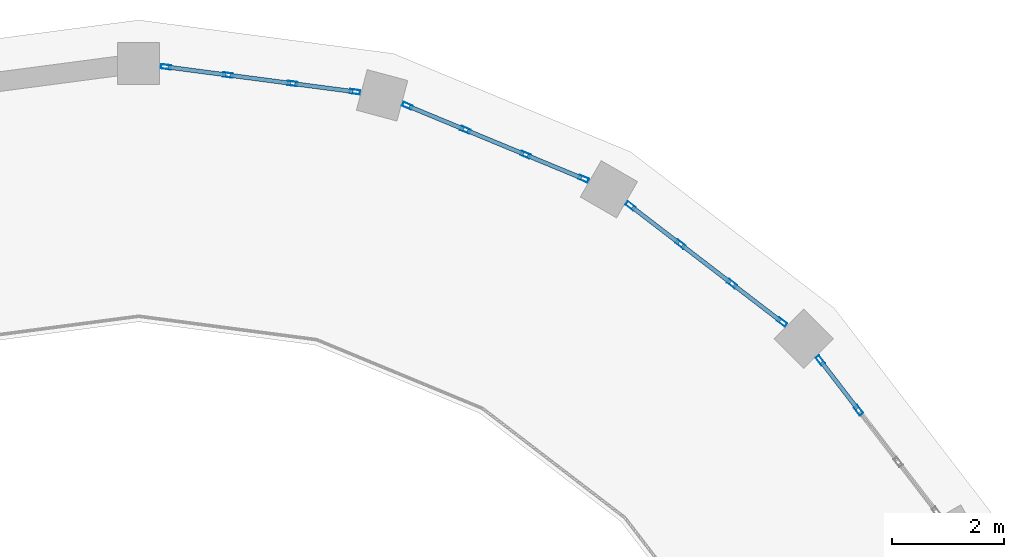
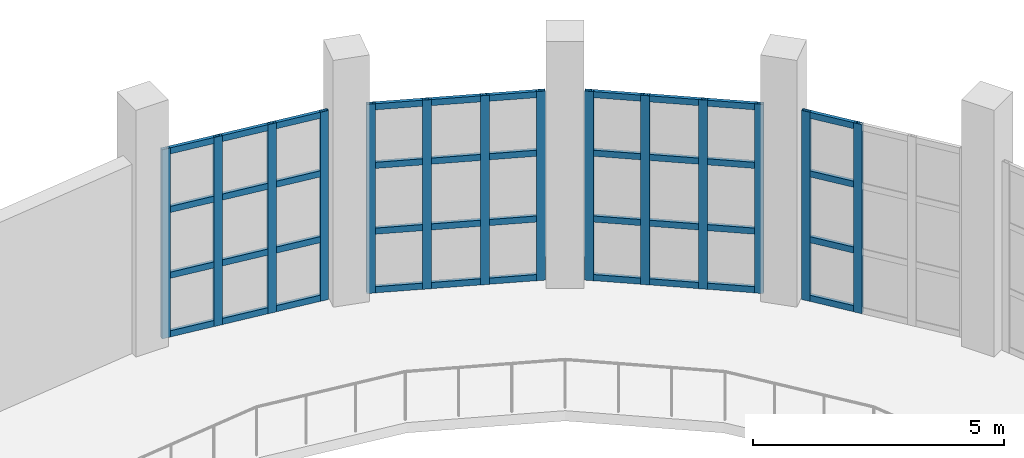
# One storey, part 31 of 59: 54 members, 4 elements without a shape of their own.
"""IFC4 building model written with IfcOpenShell, lengths in metres."""

from ifc_helpers import new_model, si_unit, direction, frame, origin, origin_2d, place, context, subcontext, project, spatial, hollow_rectangle, extrude, material, layer, layer_set, material_profile, profile_set, type_object, element, aggregate, save


model = new_model("IFC4")

# Units and contexts
model_context = context("Model", 3, precision=1e-05, world=origin(), true_north=direction((0.0, 1.0)))
body_context = subcontext(model_context, "Body", "Model", "MODEL_VIEW")
ifc_project = project(units=[si_unit("LENGTHUNIT", "METRE"), si_unit("AREAUNIT", "SQUARE_METRE"), si_unit("VOLUMEUNIT", "CUBIC_METRE"), si_unit("PLANEANGLEUNIT", "RADIAN"), si_unit("MASSUNIT", "GRAM", prefix="KILO")], contexts=[model_context])

# Site, building, storey
site_placement = place(None, origin())
site = spatial("IfcSite", under=ifc_project, at=site_placement, CompositionType="ELEMENT")
building_placement = place(site_placement, origin())
building = spatial("IfcBuilding", under=site, at=building_placement, Name="Kandorven Conservatory and Botanical Research Centre", CompositionType="ELEMENT")
storey_placement = place(building_placement, frame((0.0, 0.0, 4.800048828125)))
storey = spatial("IfcBuildingStorey", under=building, at=storey_placement, Name="L01", CompositionType="ELEMENT", Elevation=4.800048828125)

# Curtain wall, members
ifc_material_1 = material(Name="Bronze anodised thermally broken aluminium", Category="aluminium")
ifc_layer = layer(ifc_material_1, 0.179931640625)
ifc_layer_set = layer_set([ifc_layer], Name="Bronze anodised thermally broken aluminium")
curtain_wall_type = type_object("IfcCurtainWallType", Name="CW_Clerestory", PredefinedType="USERDEFINED", material=ifc_layer_set)
curtain_wall_1_placement = place(storey_placement, origin())
curtain_wall_1 = element("IfcCurtainWall", 1, at=curtain_wall_1_placement, inside=storey, type_object=curtain_wall_type, Name="Conservatory drum clerestory glazing CW-DRUM-L01-03", ObjectType="CLERESTORY GLAZING", PredefinedType="USERDEFINED")
ifc_material_2 = material(Name="Bronze anodised thermally broken aluminium", Category="aluminium")
ifc_material_profile_1 = material_profile(ifc_material_2, hollow_rectangle(XDim=0.080078125, YDim=0.179931640625, WallThickness=0.006103515625, at=origin_2d()))
ifc_profile_set_1 = profile_set([ifc_material_profile_1], Name="Bronze anodised thermally broken aluminium")
member_type_1 = type_object("IfcMemberType", Name="CW_Mullion", PredefinedType="MULLION", material=ifc_profile_set_1)
member_1_placement = place(storey_placement, frame((100.479736328125, 58.41650390625, 0.0), z_axis=(0.0, 0.0, 1.0), x_axis=(-0.793347276456, -0.608769331471, 0.0)))
member_1 = element("IfcMember", 2, at=member_1_placement, type_object=member_type_1, Name="CW-02 mullion 3", PredefinedType="MULLION", context=body_context, shape_type="SweptSolid", body=[
    extrude(hollow_rectangle(XDim=0.080078125, YDim=0.179931640625, WallThickness=0.006103515625, at=origin_2d()), origin(), (0.0, 0.0, 1.0), 4.599853515625),
])
member_2_placement = place(storey_placement, frame((99.79541015625, 59.308349609375, 0.0), z_axis=(0.0, 0.0, 1.0), x_axis=(-0.793347276456, -0.608769331471, 0.0)))
member_2 = element("IfcMember", 3, at=member_2_placement, type_object=member_type_1, Name="CW-02 mullion 4", PredefinedType="MULLION", context=body_context, shape_type="SweptSolid", body=[
    extrude(hollow_rectangle(XDim=0.080078125, YDim=0.179931640625, WallThickness=0.006103515625, at=origin_2d()), origin(), (0.0, 0.0, 1.0), 4.599853515625),
])

curtain_wall_2_placement = place(storey_placement, origin())
curtain_wall_2 = element("IfcCurtainWall", 4, at=curtain_wall_2_placement, inside=storey, type_object=curtain_wall_type, Name="Conservatory drum clerestory glazing CW-DRUM-L01-04", ObjectType="CLERESTORY GLAZING", PredefinedType="USERDEFINED")
member_3_placement = place(storey_placement, frame((99.1083984375, 59.995361328125, 0.0), z_axis=(0.0, 0.0, 1.0), x_axis=(-0.608769331471, -0.793347276456, 0.0)))
member_3 = element("IfcMember", 5, at=member_3_placement, type_object=member_type_1, Name="CW-02 mullion 1", PredefinedType="MULLION", context=body_context, shape_type="SweptSolid", body=[
    extrude(hollow_rectangle(XDim=0.080078125, YDim=0.179931640625, WallThickness=0.006103515625, at=origin_2d()), origin(), (0.0, 0.0, 1.0), 4.599853515625),
])
member_4_placement = place(storey_placement, frame((98.216552734375, 60.6796875, 0.0), z_axis=(0.0, 0.0, 1.0), x_axis=(-0.608769331471, -0.793347276456, 0.0)))
member_4 = element("IfcMember", 6, at=member_4_placement, type_object=member_type_1, Name="CW-02 mullion 2", PredefinedType="MULLION", context=body_context, shape_type="SweptSolid", body=[
    extrude(hollow_rectangle(XDim=0.080078125, YDim=0.179931640625, WallThickness=0.006103515625, at=origin_2d()), origin(), (0.0, 0.0, 1.0), 4.599853515625),
])
member_5_placement = place(storey_placement, frame((97.29296875, 61.388427734375, 0.0), z_axis=(0.0, 0.0, 1.0), x_axis=(-0.608769331471, -0.793347276456, 0.0)))
member_5 = element("IfcMember", 7, at=member_5_placement, type_object=member_type_1, Name="CW-02 mullion 3", PredefinedType="MULLION", context=body_context, shape_type="SweptSolid", body=[
    extrude(hollow_rectangle(XDim=0.080078125, YDim=0.179931640625, WallThickness=0.006103515625, at=origin_2d()), origin(), (0.0, 0.0, 1.0), 4.599853515625),
])
member_6_placement = place(storey_placement, frame((96.401123046875, 62.07275390625, 0.0), z_axis=(0.0, 0.0, 1.0), x_axis=(-0.608769331471, -0.793347276456, 0.0)))
member_6 = element("IfcMember", 8, at=member_6_placement, type_object=member_type_1, Name="CW-02 mullion 4", PredefinedType="MULLION", context=body_context, shape_type="SweptSolid", body=[
    extrude(hollow_rectangle(XDim=0.080078125, YDim=0.179931640625, WallThickness=0.006103515625, at=origin_2d()), origin(), (0.0, 0.0, 1.0), 4.599853515625),
])

curtain_wall_3_placement = place(storey_placement, origin())
curtain_wall_3 = element("IfcCurtainWall", 9, at=curtain_wall_3_placement, inside=storey, type_object=curtain_wall_type, Name="Conservatory drum clerestory glazing CW-DRUM-L01-05", ObjectType="CLERESTORY GLAZING", PredefinedType="USERDEFINED")
member_7_placement = place(storey_placement, frame((95.559814453125, 62.558349609375, 0.0), z_axis=(0.0, 0.0, 1.0), x_axis=(-0.382668753353, -0.92388561262, 0.0)))
member_7 = element("IfcMember", 10, at=member_7_placement, type_object=member_type_1, Name="CW-02 mullion 1", PredefinedType="MULLION", context=body_context, shape_type="SweptSolid", body=[
    extrude(hollow_rectangle(XDim=0.080078125, YDim=0.179931640625, WallThickness=0.006103515625, at=origin_2d()), origin(), (0.0, 0.0, 1.0), 4.599853515625),
])
member_8_placement = place(storey_placement, frame((94.521240234375, 62.988525390625, 0.0), z_axis=(0.0, 0.0, 1.0), x_axis=(-0.382668753353, -0.92388561262, 0.0)))
member_8 = element("IfcMember", 11, at=member_8_placement, type_object=member_type_1, Name="CW-02 mullion 2", PredefinedType="MULLION", context=body_context, shape_type="SweptSolid", body=[
    extrude(hollow_rectangle(XDim=0.080078125, YDim=0.179931640625, WallThickness=0.006103515625, at=origin_2d()), origin(), (0.0, 0.0, 1.0), 4.599853515625),
])
member_9_placement = place(storey_placement, frame((93.44580078125, 63.43408203125, 0.0), z_axis=(0.0, 0.0, 1.0), x_axis=(-0.382668753353, -0.92388561262, 0.0)))
member_9 = element("IfcMember", 12, at=member_9_placement, type_object=member_type_1, Name="CW-02 mullion 3", PredefinedType="MULLION", context=body_context, shape_type="SweptSolid", body=[
    extrude(hollow_rectangle(XDim=0.080078125, YDim=0.179931640625, WallThickness=0.006103515625, at=origin_2d()), origin(), (0.0, 0.0, 1.0), 4.599853515625),
])
member_10_placement = place(storey_placement, frame((92.4072265625, 63.8642578125, 0.0), z_axis=(0.0, 0.0, 1.0), x_axis=(-0.382668753353, -0.92388561262, 0.0)))
member_10 = element("IfcMember", 13, at=member_10_placement, type_object=member_type_1, Name="CW-02 mullion 4", PredefinedType="MULLION", context=body_context, shape_type="SweptSolid", body=[
    extrude(hollow_rectangle(XDim=0.080078125, YDim=0.179931640625, WallThickness=0.006103515625, at=origin_2d()), origin(), (0.0, 0.0, 1.0), 4.599853515625),
])

curtain_wall_4_placement = place(storey_placement, origin())
curtain_wall_4 = element("IfcCurtainWall", 14, at=curtain_wall_4_placement, inside=storey, type_object=curtain_wall_type, Name="Conservatory drum clerestory glazing CW-DRUM-L01-06", ObjectType="CLERESTORY GLAZING", PredefinedType="USERDEFINED")
member_11_placement = place(storey_placement, frame((91.46875, 64.11572265625, 0.0), z_axis=(0.0, 0.0, 1.0), x_axis=(-0.130552292075, -0.991441424913, 0.0)))
member_11 = element("IfcMember", 15, at=member_11_placement, type_object=member_type_1, Name="CW-02 mullion 1", PredefinedType="MULLION", context=body_context, shape_type="SweptSolid", body=[
    extrude(hollow_rectangle(XDim=0.080078125, YDim=0.179931640625, WallThickness=0.006103515625, at=origin_2d()), origin(), (0.0, 0.0, 1.0), 4.599853515625),
])
member_12_placement = place(storey_placement, frame((90.354248046875, 64.262451171875, 0.0), z_axis=(0.0, 0.0, 1.0), x_axis=(-0.130552292075, -0.991441424913, 0.0)))
member_12 = element("IfcMember", 16, at=member_12_placement, type_object=member_type_1, Name="CW-02 mullion 2", PredefinedType="MULLION", context=body_context, shape_type="SweptSolid", body=[
    extrude(hollow_rectangle(XDim=0.080078125, YDim=0.179931640625, WallThickness=0.006103515625, at=origin_2d()), origin(), (0.0, 0.0, 1.0), 4.599853515625),
])
member_13_placement = place(storey_placement, frame((89.2001953125, 64.414306640625, 0.0), z_axis=(0.0, 0.0, 1.0), x_axis=(-0.130552292075, -0.991441424913, 0.0)))
member_13 = element("IfcMember", 17, at=member_13_placement, type_object=member_type_1, Name="CW-02 mullion 3", PredefinedType="MULLION", context=body_context, shape_type="SweptSolid", body=[
    extrude(hollow_rectangle(XDim=0.080078125, YDim=0.179931640625, WallThickness=0.006103515625, at=origin_2d()), origin(), (0.0, 0.0, 1.0), 4.599853515625),
])
member_14_placement = place(storey_placement, frame((88.0859375, 64.56103515625, 0.0), z_axis=(0.0, 0.0, 1.0), x_axis=(-0.130552292075, -0.991441424913, 0.0)))
member_14 = element("IfcMember", 18, at=member_14_placement, type_object=member_type_1, Name="CW-02 mullion 4", PredefinedType="MULLION", context=body_context, shape_type="SweptSolid", body=[
    extrude(hollow_rectangle(XDim=0.080078125, YDim=0.179931640625, WallThickness=0.006103515625, at=origin_2d()), origin(), (0.0, 0.0, 1.0), 4.599853515625),
])

# Member
ifc_material_3 = material(Name="Bronze anodised thermally broken aluminium", Category="aluminium")
ifc_material_profile_2 = material_profile(ifc_material_3, hollow_rectangle(XDim=0.074951171875, YDim=0.14990234375, WallThickness=0.006103515625, at=origin_2d()))
ifc_profile_set_2 = profile_set([ifc_material_profile_2], Name="Bronze anodised thermally broken aluminium")
member_type_2 = type_object("IfcMemberType", Name="CW_Transom", PredefinedType="USERDEFINED", material=ifc_profile_set_2)
member_15_placement = place(storey_placement, frame((100.455322265625, 58.4482421875, 0.074951171875), z_axis=(-0.608829050876, 0.793301447628, 0.0), x_axis=(-0.793301447628, -0.608829050876, 0.0)))
member_15 = element("IfcMember", 19, at=member_15_placement, type_object=member_type_2, Name="CW-02 transom 3.1", ObjectType="TRANSOM", PredefinedType="USERDEFINED", context=body_context, shape_type="SweptSolid", body=[
    extrude(hollow_rectangle(XDim=0.074951171875, YDim=0.14990234375, WallThickness=0.006103515625, at=origin_2d()), origin(), (0.0, 0.0, 1.0), 1.044189453125),
])

member_16_placement = place(storey_placement, frame((100.455322265625, 58.4482421875, 1.5), z_axis=(-0.608829050876, 0.793301447628, 0.0), x_axis=(-0.793301447628, -0.608829050876, 0.0)))
member_16 = element("IfcMember", 20, at=member_16_placement, type_object=member_type_2, Name="CW-02 transom 3.2", ObjectType="TRANSOM", PredefinedType="USERDEFINED", context=body_context, shape_type="SweptSolid", body=[
    extrude(hollow_rectangle(XDim=0.074951171875, YDim=0.14990234375, WallThickness=0.006103515625, at=origin_2d()), origin(), (0.0, 0.0, 1.0), 1.044189453125),
])

member_17_placement = place(storey_placement, frame((100.455322265625, 58.4482421875, 3.099853515625), z_axis=(-0.608829050876, 0.793301447628, 0.0), x_axis=(-0.793301447628, -0.608829050876, 0.0)))
member_17 = element("IfcMember", 21, at=member_17_placement, type_object=member_type_2, Name="CW-02 transom 3.3", ObjectType="TRANSOM", PredefinedType="USERDEFINED", context=body_context, shape_type="SweptSolid", body=[
    extrude(hollow_rectangle(XDim=0.074951171875, YDim=0.14990234375, WallThickness=0.006103515625, at=origin_2d()), origin(), (0.0, 0.0, 1.0), 1.044189453125),
])

member_18_placement = place(storey_placement, frame((100.455322265625, 58.4482421875, 4.52490234375), z_axis=(-0.608829050876, 0.793301447628, 0.0), x_axis=(-0.793301447628, -0.608829050876, 0.0)))
member_18 = element("IfcMember", 22, at=member_18_placement, type_object=member_type_2, Name="CW-02 transom 3.4", ObjectType="TRANSOM", PredefinedType="USERDEFINED", context=body_context, shape_type="SweptSolid", body=[
    extrude(hollow_rectangle(XDim=0.074951171875, YDim=0.14990234375, WallThickness=0.006103515625, at=origin_2d()), origin(), (0.0, 0.0, 1.0), 1.044189453125),
])

aggregate(curtain_wall_1, [member_1, member_2, member_15, member_16, member_17, member_18])

member_19_placement = place(storey_placement, frame((99.07666015625, 60.019775390625, 0.074951171875), z_axis=(-0.793414374508, 0.608681879412, 0.0), x_axis=(-0.608681879412, -0.793414374508, 0.0)))
member_19 = element("IfcMember", 23, at=member_19_placement, type_object=member_type_2, Name="CW-02 transom 1.1", ObjectType="TRANSOM", PredefinedType="USERDEFINED", context=body_context, shape_type="SweptSolid", body=[
    extrude(hollow_rectangle(XDim=0.074951171875, YDim=0.14990234375, WallThickness=0.006103515625, at=origin_2d()), origin(), (0.0, 0.0, 1.0), 1.0439453125),
])

member_20_placement = place(storey_placement, frame((99.07666015625, 60.019775390625, 1.5), z_axis=(-0.793414374508, 0.608681879412, 0.0), x_axis=(-0.608681879412, -0.793414374508, 0.0)))
member_20 = element("IfcMember", 24, at=member_20_placement, type_object=member_type_2, Name="CW-02 transom 1.2", ObjectType="TRANSOM", PredefinedType="USERDEFINED", context=body_context, shape_type="SweptSolid", body=[
    extrude(hollow_rectangle(XDim=0.074951171875, YDim=0.14990234375, WallThickness=0.006103515625, at=origin_2d()), origin(), (0.0, 0.0, 1.0), 1.0439453125),
])

member_21_placement = place(storey_placement, frame((99.07666015625, 60.019775390625, 3.099853515625), z_axis=(-0.793414374508, 0.608681879412, 0.0), x_axis=(-0.608681879412, -0.793414374508, 0.0)))
member_21 = element("IfcMember", 25, at=member_21_placement, type_object=member_type_2, Name="CW-02 transom 1.3", ObjectType="TRANSOM", PredefinedType="USERDEFINED", context=body_context, shape_type="SweptSolid", body=[
    extrude(hollow_rectangle(XDim=0.074951171875, YDim=0.14990234375, WallThickness=0.006103515625, at=origin_2d()), origin(), (0.0, 0.0, 1.0), 1.0439453125),
])

member_22_placement = place(storey_placement, frame((99.07666015625, 60.019775390625, 4.52490234375), z_axis=(-0.793414374508, 0.608681879412, 0.0), x_axis=(-0.608681879412, -0.793414374508, 0.0)))
member_22 = element("IfcMember", 26, at=member_22_placement, type_object=member_type_2, Name="CW-02 transom 1.4", ObjectType="TRANSOM", PredefinedType="USERDEFINED", context=body_context, shape_type="SweptSolid", body=[
    extrude(hollow_rectangle(XDim=0.074951171875, YDim=0.14990234375, WallThickness=0.006103515625, at=origin_2d()), origin(), (0.0, 0.0, 1.0), 1.0439453125),
])

member_23_placement = place(storey_placement, frame((98.184814453125, 60.7041015625, 0.074951171875), z_axis=(-0.793385204739, 0.608719900201, 0.0), x_axis=(-0.608719900201, -0.793385204739, 0.0)))
member_23 = element("IfcMember", 27, at=member_23_placement, type_object=member_type_2, Name="CW-02 transom 2.1", ObjectType="TRANSOM", PredefinedType="USERDEFINED", context=body_context, shape_type="SweptSolid", body=[
    extrude(hollow_rectangle(XDim=0.074951171875, YDim=0.14990234375, WallThickness=0.006103515625, at=origin_2d()), origin(), (0.0, 0.0, 1.0), 1.083984375),
])

member_24_placement = place(storey_placement, frame((98.184814453125, 60.7041015625, 1.5), z_axis=(-0.793385204739, 0.608719900201, 0.0), x_axis=(-0.608719900201, -0.793385204739, 0.0)))
member_24 = element("IfcMember", 28, at=member_24_placement, type_object=member_type_2, Name="CW-02 transom 2.2", ObjectType="TRANSOM", PredefinedType="USERDEFINED", context=body_context, shape_type="SweptSolid", body=[
    extrude(hollow_rectangle(XDim=0.074951171875, YDim=0.14990234375, WallThickness=0.006103515625, at=origin_2d()), origin(), (0.0, 0.0, 1.0), 1.083984375),
])

member_25_placement = place(storey_placement, frame((98.184814453125, 60.7041015625, 3.099853515625), z_axis=(-0.793385204739, 0.608719900201, 0.0), x_axis=(-0.608719900201, -0.793385204739, 0.0)))
member_25 = element("IfcMember", 29, at=member_25_placement, type_object=member_type_2, Name="CW-02 transom 2.3", ObjectType="TRANSOM", PredefinedType="USERDEFINED", context=body_context, shape_type="SweptSolid", body=[
    extrude(hollow_rectangle(XDim=0.074951171875, YDim=0.14990234375, WallThickness=0.006103515625, at=origin_2d()), origin(), (0.0, 0.0, 1.0), 1.083984375),
])

member_26_placement = place(storey_placement, frame((98.184814453125, 60.7041015625, 4.52490234375), z_axis=(-0.793385204739, 0.608719900201, 0.0), x_axis=(-0.608719900201, -0.793385204739, 0.0)))
member_26 = element("IfcMember", 30, at=member_26_placement, type_object=member_type_2, Name="CW-02 transom 2.4", ObjectType="TRANSOM", PredefinedType="USERDEFINED", context=body_context, shape_type="SweptSolid", body=[
    extrude(hollow_rectangle(XDim=0.074951171875, YDim=0.14990234375, WallThickness=0.006103515625, at=origin_2d()), origin(), (0.0, 0.0, 1.0), 1.083984375),
])

member_27_placement = place(storey_placement, frame((97.26123046875, 61.41259765625, 0.074951171875), z_axis=(-0.793301447628, 0.608829050876, 0.0), x_axis=(-0.608829050876, -0.793301447628, 0.0)))
member_27 = element("IfcMember", 31, at=member_27_placement, type_object=member_type_2, Name="CW-02 transom 3.1", ObjectType="TRANSOM", PredefinedType="USERDEFINED", context=body_context, shape_type="SweptSolid", body=[
    extrude(hollow_rectangle(XDim=0.074951171875, YDim=0.14990234375, WallThickness=0.006103515625, at=origin_2d()), origin(), (0.0, 0.0, 1.0), 1.044189453125),
])

member_28_placement = place(storey_placement, frame((97.26123046875, 61.41259765625, 1.5), z_axis=(-0.793301447628, 0.608829050876, 0.0), x_axis=(-0.608829050876, -0.793301447628, 0.0)))
member_28 = element("IfcMember", 32, at=member_28_placement, type_object=member_type_2, Name="CW-02 transom 3.2", ObjectType="TRANSOM", PredefinedType="USERDEFINED", context=body_context, shape_type="SweptSolid", body=[
    extrude(hollow_rectangle(XDim=0.074951171875, YDim=0.14990234375, WallThickness=0.006103515625, at=origin_2d()), origin(), (0.0, 0.0, 1.0), 1.044189453125),
])

member_29_placement = place(storey_placement, frame((97.26123046875, 61.41259765625, 3.099853515625), z_axis=(-0.793301447628, 0.608829050876, 0.0), x_axis=(-0.608829050876, -0.793301447628, 0.0)))
member_29 = element("IfcMember", 33, at=member_29_placement, type_object=member_type_2, Name="CW-02 transom 3.3", ObjectType="TRANSOM", PredefinedType="USERDEFINED", context=body_context, shape_type="SweptSolid", body=[
    extrude(hollow_rectangle(XDim=0.074951171875, YDim=0.14990234375, WallThickness=0.006103515625, at=origin_2d()), origin(), (0.0, 0.0, 1.0), 1.044189453125),
])

member_30_placement = place(storey_placement, frame((97.26123046875, 61.41259765625, 4.52490234375), z_axis=(-0.793301447628, 0.608829050876, 0.0), x_axis=(-0.608829050876, -0.793301447628, 0.0)))
member_30 = element("IfcMember", 34, at=member_30_placement, type_object=member_type_2, Name="CW-02 transom 3.4", ObjectType="TRANSOM", PredefinedType="USERDEFINED", context=body_context, shape_type="SweptSolid", body=[
    extrude(hollow_rectangle(XDim=0.074951171875, YDim=0.14990234375, WallThickness=0.006103515625, at=origin_2d()), origin(), (0.0, 0.0, 1.0), 1.044189453125),
])

aggregate(curtain_wall_2, [member_3, member_4, member_5, member_6, member_19, member_20, member_21, member_22, member_23, member_24, member_25, member_26, member_27, member_28, member_29, member_30])

member_31_placement = place(storey_placement, frame((95.52294921875, 62.57373046875, 0.074951171875), z_axis=(-0.923925641819, 0.382572095676, 0.0), x_axis=(-0.382572095676, -0.923925641819, 0.0)))
member_31 = element("IfcMember", 35, at=member_31_placement, type_object=member_type_2, Name="CW-02 transom 1.1", ObjectType="TRANSOM", PredefinedType="USERDEFINED", context=body_context, shape_type="SweptSolid", body=[
    extrude(hollow_rectangle(XDim=0.074951171875, YDim=0.14990234375, WallThickness=0.006103515625, at=origin_2d()), origin(), (0.0, 0.0, 1.0), 1.0439453125),
])

member_32_placement = place(storey_placement, frame((95.52294921875, 62.57373046875, 1.5), z_axis=(-0.923925641819, 0.382572095676, 0.0), x_axis=(-0.382572095676, -0.923925641819, 0.0)))
member_32 = element("IfcMember", 36, at=member_32_placement, type_object=member_type_2, Name="CW-02 transom 1.2", ObjectType="TRANSOM", PredefinedType="USERDEFINED", context=body_context, shape_type="SweptSolid", body=[
    extrude(hollow_rectangle(XDim=0.074951171875, YDim=0.14990234375, WallThickness=0.006103515625, at=origin_2d()), origin(), (0.0, 0.0, 1.0), 1.0439453125),
])

member_33_placement = place(storey_placement, frame((95.52294921875, 62.57373046875, 3.099853515625), z_axis=(-0.923925641819, 0.382572095676, 0.0), x_axis=(-0.382572095676, -0.923925641819, 0.0)))
member_33 = element("IfcMember", 37, at=member_33_placement, type_object=member_type_2, Name="CW-02 transom 1.3", ObjectType="TRANSOM", PredefinedType="USERDEFINED", context=body_context, shape_type="SweptSolid", body=[
    extrude(hollow_rectangle(XDim=0.074951171875, YDim=0.14990234375, WallThickness=0.006103515625, at=origin_2d()), origin(), (0.0, 0.0, 1.0), 1.0439453125),
])

member_34_placement = place(storey_placement, frame((95.52294921875, 62.57373046875, 4.52490234375), z_axis=(-0.923925641819, 0.382572095676, 0.0), x_axis=(-0.382572095676, -0.923925641819, 0.0)))
member_34 = element("IfcMember", 38, at=member_34_placement, type_object=member_type_2, Name="CW-02 transom 1.4", ObjectType="TRANSOM", PredefinedType="USERDEFINED", context=body_context, shape_type="SweptSolid", body=[
    extrude(hollow_rectangle(XDim=0.074951171875, YDim=0.14990234375, WallThickness=0.006103515625, at=origin_2d()), origin(), (0.0, 0.0, 1.0), 1.0439453125),
])

member_35_placement = place(storey_placement, frame((94.484375, 63.00390625, 0.074951171875), z_axis=(-0.923920786696, 0.382583820765, 0.0), x_axis=(-0.382583820765, -0.923920786696, 0.0)))
member_35 = element("IfcMember", 39, at=member_35_placement, type_object=member_type_2, Name="CW-02 transom 2.1", ObjectType="TRANSOM", PredefinedType="USERDEFINED", context=body_context, shape_type="SweptSolid", body=[
    extrude(hollow_rectangle(XDim=0.074951171875, YDim=0.14990234375, WallThickness=0.006103515625, at=origin_2d()), origin(), (0.0, 0.0, 1.0), 1.084228515625),
])

member_36_placement = place(storey_placement, frame((94.484375, 63.00390625, 1.5), z_axis=(-0.923920786696, 0.382583820765, 0.0), x_axis=(-0.382583820765, -0.923920786696, 0.0)))
member_36 = element("IfcMember", 40, at=member_36_placement, type_object=member_type_2, Name="CW-02 transom 2.2", ObjectType="TRANSOM", PredefinedType="USERDEFINED", context=body_context, shape_type="SweptSolid", body=[
    extrude(hollow_rectangle(XDim=0.074951171875, YDim=0.14990234375, WallThickness=0.006103515625, at=origin_2d()), origin(), (0.0, 0.0, 1.0), 1.084228515625),
])

member_37_placement = place(storey_placement, frame((94.484375, 63.00390625, 3.099853515625), z_axis=(-0.923920786696, 0.382583820765, 0.0), x_axis=(-0.382583820765, -0.923920786696, 0.0)))
member_37 = element("IfcMember", 41, at=member_37_placement, type_object=member_type_2, Name="CW-02 transom 2.3", ObjectType="TRANSOM", PredefinedType="USERDEFINED", context=body_context, shape_type="SweptSolid", body=[
    extrude(hollow_rectangle(XDim=0.074951171875, YDim=0.14990234375, WallThickness=0.006103515625, at=origin_2d()), origin(), (0.0, 0.0, 1.0), 1.084228515625),
])

member_38_placement = place(storey_placement, frame((94.484375, 63.00390625, 4.52490234375), z_axis=(-0.923920786696, 0.382583820765, 0.0), x_axis=(-0.382583820765, -0.923920786696, 0.0)))
member_38 = element("IfcMember", 42, at=member_38_placement, type_object=member_type_2, Name="CW-02 transom 2.4", ObjectType="TRANSOM", PredefinedType="USERDEFINED", context=body_context, shape_type="SweptSolid", body=[
    extrude(hollow_rectangle(XDim=0.074951171875, YDim=0.14990234375, WallThickness=0.006103515625, at=origin_2d()), origin(), (0.0, 0.0, 1.0), 1.084228515625),
])

member_39_placement = place(storey_placement, frame((93.408935546875, 63.44921875, 0.074951171875), z_axis=(-0.92387721812, 0.382689019753, 0.0), x_axis=(-0.382689019753, -0.92387721812, 0.0)))
member_39 = element("IfcMember", 43, at=member_39_placement, type_object=member_type_2, Name="CW-02 transom 3.1", ObjectType="TRANSOM", PredefinedType="USERDEFINED", context=body_context, shape_type="SweptSolid", body=[
    extrude(hollow_rectangle(XDim=0.074951171875, YDim=0.14990234375, WallThickness=0.006103515625, at=origin_2d()), origin(), (0.0, 0.0, 1.0), 1.04443359375),
])

member_40_placement = place(storey_placement, frame((93.408935546875, 63.44921875, 1.5), z_axis=(-0.92387721812, 0.382689019753, 0.0), x_axis=(-0.382689019753, -0.92387721812, 0.0)))
member_40 = element("IfcMember", 44, at=member_40_placement, type_object=member_type_2, Name="CW-02 transom 3.2", ObjectType="TRANSOM", PredefinedType="USERDEFINED", context=body_context, shape_type="SweptSolid", body=[
    extrude(hollow_rectangle(XDim=0.074951171875, YDim=0.14990234375, WallThickness=0.006103515625, at=origin_2d()), origin(), (0.0, 0.0, 1.0), 1.04443359375),
])

member_41_placement = place(storey_placement, frame((93.408935546875, 63.44921875, 3.099853515625), z_axis=(-0.92387721812, 0.382689019753, 0.0), x_axis=(-0.382689019753, -0.92387721812, 0.0)))
member_41 = element("IfcMember", 45, at=member_41_placement, type_object=member_type_2, Name="CW-02 transom 3.3", ObjectType="TRANSOM", PredefinedType="USERDEFINED", context=body_context, shape_type="SweptSolid", body=[
    extrude(hollow_rectangle(XDim=0.074951171875, YDim=0.14990234375, WallThickness=0.006103515625, at=origin_2d()), origin(), (0.0, 0.0, 1.0), 1.04443359375),
])

member_42_placement = place(storey_placement, frame((93.408935546875, 63.44921875, 4.52490234375), z_axis=(-0.92387721812, 0.382689019753, 0.0), x_axis=(-0.382689019753, -0.92387721812, 0.0)))
member_42 = element("IfcMember", 46, at=member_42_placement, type_object=member_type_2, Name="CW-02 transom 3.4", ObjectType="TRANSOM", PredefinedType="USERDEFINED", context=body_context, shape_type="SweptSolid", body=[
    extrude(hollow_rectangle(XDim=0.074951171875, YDim=0.14990234375, WallThickness=0.006103515625, at=origin_2d()), origin(), (0.0, 0.0, 1.0), 1.04443359375),
])

aggregate(curtain_wall_3, [member_7, member_8, member_9, member_10, member_31, member_32, member_33, member_34, member_35, member_36, member_37, member_38, member_39, member_40, member_41, member_42])

member_43_placement = place(storey_placement, frame((91.42919921875, 64.120849609375, 0.074951171875), z_axis=(-0.991451111683, 0.130478707622, 0.0), x_axis=(-0.130478707622, -0.991451111683, 0.0)))
member_43 = element("IfcMember", 47, at=member_43_placement, type_object=member_type_2, Name="CW-02 transom 1.1", ObjectType="TRANSOM", PredefinedType="USERDEFINED", context=body_context, shape_type="SweptSolid", body=[
    extrude(hollow_rectangle(XDim=0.074951171875, YDim=0.14990234375, WallThickness=0.006103515625, at=origin_2d()), origin(), (0.0, 0.0, 1.0), 1.044189453125),
])

member_44_placement = place(storey_placement, frame((91.42919921875, 64.120849609375, 1.5), z_axis=(-0.991451111683, 0.130478707622, 0.0), x_axis=(-0.130478707622, -0.991451111683, 0.0)))
member_44 = element("IfcMember", 48, at=member_44_placement, type_object=member_type_2, Name="CW-02 transom 1.2", ObjectType="TRANSOM", PredefinedType="USERDEFINED", context=body_context, shape_type="SweptSolid", body=[
    extrude(hollow_rectangle(XDim=0.074951171875, YDim=0.14990234375, WallThickness=0.006103515625, at=origin_2d()), origin(), (0.0, 0.0, 1.0), 1.044189453125),
])

member_45_placement = place(storey_placement, frame((91.42919921875, 64.120849609375, 3.099853515625), z_axis=(-0.991451111683, 0.130478707622, 0.0), x_axis=(-0.130478707622, -0.991451111683, 0.0)))
member_45 = element("IfcMember", 49, at=member_45_placement, type_object=member_type_2, Name="CW-02 transom 1.3", ObjectType="TRANSOM", PredefinedType="USERDEFINED", context=body_context, shape_type="SweptSolid", body=[
    extrude(hollow_rectangle(XDim=0.074951171875, YDim=0.14990234375, WallThickness=0.006103515625, at=origin_2d()), origin(), (0.0, 0.0, 1.0), 1.044189453125),
])

member_46_placement = place(storey_placement, frame((91.42919921875, 64.120849609375, 4.52490234375), z_axis=(-0.991451111683, 0.130478707622, 0.0), x_axis=(-0.130478707622, -0.991451111683, 0.0)))
member_46 = element("IfcMember", 50, at=member_46_placement, type_object=member_type_2, Name="CW-02 transom 1.4", ObjectType="TRANSOM", PredefinedType="USERDEFINED", context=body_context, shape_type="SweptSolid", body=[
    extrude(hollow_rectangle(XDim=0.074951171875, YDim=0.14990234375, WallThickness=0.006103515625, at=origin_2d()), origin(), (0.0, 0.0, 1.0), 1.044189453125),
])

member_47_placement = place(storey_placement, frame((90.314697265625, 64.267578125, 0.074951171875), z_axis=(-0.991431282562, 0.130629292114, 0.0), x_axis=(-0.130629292114, -0.991431282562, 0.0)))
member_47 = element("IfcMember", 51, at=member_47_placement, type_object=member_type_2, Name="CW-02 transom 2.1", ObjectType="TRANSOM", PredefinedType="USERDEFINED", context=body_context, shape_type="SweptSolid", body=[
    extrude(hollow_rectangle(XDim=0.074951171875, YDim=0.14990234375, WallThickness=0.006103515625, at=origin_2d()), origin(), (0.0, 0.0, 1.0), 1.083984375),
])

member_48_placement = place(storey_placement, frame((90.314697265625, 64.267578125, 1.5), z_axis=(-0.991431282562, 0.130629292114, 0.0), x_axis=(-0.130629292114, -0.991431282562, 0.0)))
member_48 = element("IfcMember", 52, at=member_48_placement, type_object=member_type_2, Name="CW-02 transom 2.2", ObjectType="TRANSOM", PredefinedType="USERDEFINED", context=body_context, shape_type="SweptSolid", body=[
    extrude(hollow_rectangle(XDim=0.074951171875, YDim=0.14990234375, WallThickness=0.006103515625, at=origin_2d()), origin(), (0.0, 0.0, 1.0), 1.083984375),
])

member_49_placement = place(storey_placement, frame((90.314697265625, 64.267578125, 3.099853515625), z_axis=(-0.991431282562, 0.130629292114, 0.0), x_axis=(-0.130629292114, -0.991431282562, 0.0)))
member_49 = element("IfcMember", 53, at=member_49_placement, type_object=member_type_2, Name="CW-02 transom 2.3", ObjectType="TRANSOM", PredefinedType="USERDEFINED", context=body_context, shape_type="SweptSolid", body=[
    extrude(hollow_rectangle(XDim=0.074951171875, YDim=0.14990234375, WallThickness=0.006103515625, at=origin_2d()), origin(), (0.0, 0.0, 1.0), 1.083984375),
])

member_50_placement = place(storey_placement, frame((90.314697265625, 64.267578125, 4.52490234375), z_axis=(-0.991431282562, 0.130629292114, 0.0), x_axis=(-0.130629292114, -0.991431282562, 0.0)))
member_50 = element("IfcMember", 54, at=member_50_placement, type_object=member_type_2, Name="CW-02 transom 2.4", ObjectType="TRANSOM", PredefinedType="USERDEFINED", context=body_context, shape_type="SweptSolid", body=[
    extrude(hollow_rectangle(XDim=0.074951171875, YDim=0.14990234375, WallThickness=0.006103515625, at=origin_2d()), origin(), (0.0, 0.0, 1.0), 1.083984375),
])

member_51_placement = place(storey_placement, frame((89.16064453125, 64.41943359375, 0.074951171875), z_axis=(-0.99142083659, 0.130708548975, 0.0), x_axis=(-0.130708548975, -0.99142083659, 0.0)))
member_51 = element("IfcMember", 55, at=member_51_placement, type_object=member_type_2, Name="CW-02 transom 3.1", ObjectType="TRANSOM", PredefinedType="USERDEFINED", context=body_context, shape_type="SweptSolid", body=[
    extrude(hollow_rectangle(XDim=0.074951171875, YDim=0.14990234375, WallThickness=0.006103515625, at=origin_2d()), origin(), (0.0, 0.0, 1.0), 1.044189453125),
])

member_52_placement = place(storey_placement, frame((89.16064453125, 64.41943359375, 1.5), z_axis=(-0.99142083659, 0.130708548975, 0.0), x_axis=(-0.130708548975, -0.99142083659, 0.0)))
member_52 = element("IfcMember", 56, at=member_52_placement, type_object=member_type_2, Name="CW-02 transom 3.2", ObjectType="TRANSOM", PredefinedType="USERDEFINED", context=body_context, shape_type="SweptSolid", body=[
    extrude(hollow_rectangle(XDim=0.074951171875, YDim=0.14990234375, WallThickness=0.006103515625, at=origin_2d()), origin(), (0.0, 0.0, 1.0), 1.044189453125),
])

member_53_placement = place(storey_placement, frame((89.16064453125, 64.41943359375, 3.099853515625), z_axis=(-0.99142083659, 0.130708548975, 0.0), x_axis=(-0.130708548975, -0.99142083659, 0.0)))
member_53 = element("IfcMember", 57, at=member_53_placement, type_object=member_type_2, Name="CW-02 transom 3.3", ObjectType="TRANSOM", PredefinedType="USERDEFINED", context=body_context, shape_type="SweptSolid", body=[
    extrude(hollow_rectangle(XDim=0.074951171875, YDim=0.14990234375, WallThickness=0.006103515625, at=origin_2d()), origin(), (0.0, 0.0, 1.0), 1.044189453125),
])

member_54_placement = place(storey_placement, frame((89.16064453125, 64.41943359375, 4.52490234375), z_axis=(-0.99142083659, 0.130708548975, 0.0), x_axis=(-0.130708548975, -0.99142083659, 0.0)))
member_54 = element("IfcMember", 58, at=member_54_placement, type_object=member_type_2, Name="CW-02 transom 3.4", ObjectType="TRANSOM", PredefinedType="USERDEFINED", context=body_context, shape_type="SweptSolid", body=[
    extrude(hollow_rectangle(XDim=0.074951171875, YDim=0.14990234375, WallThickness=0.006103515625, at=origin_2d()), origin(), (0.0, 0.0, 1.0), 1.044189453125),
])

aggregate(curtain_wall_4, [member_11, member_12, member_13, member_14, member_43, member_44, member_45, member_46, member_47, member_48, member_49, member_50, member_51, member_52, member_53, member_54])

save(model, "model.ifc")
